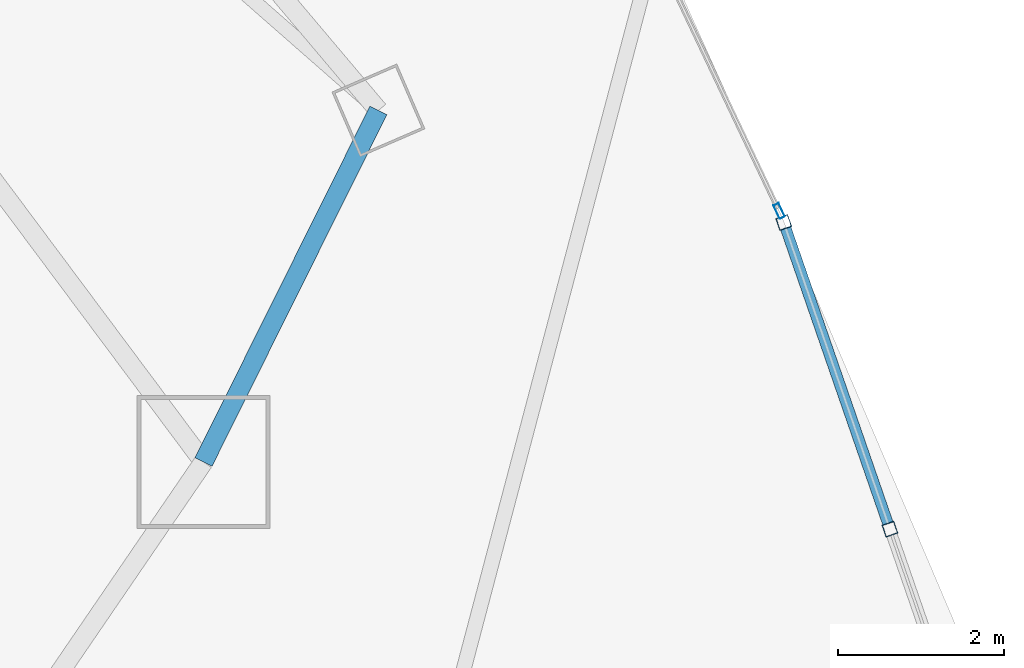
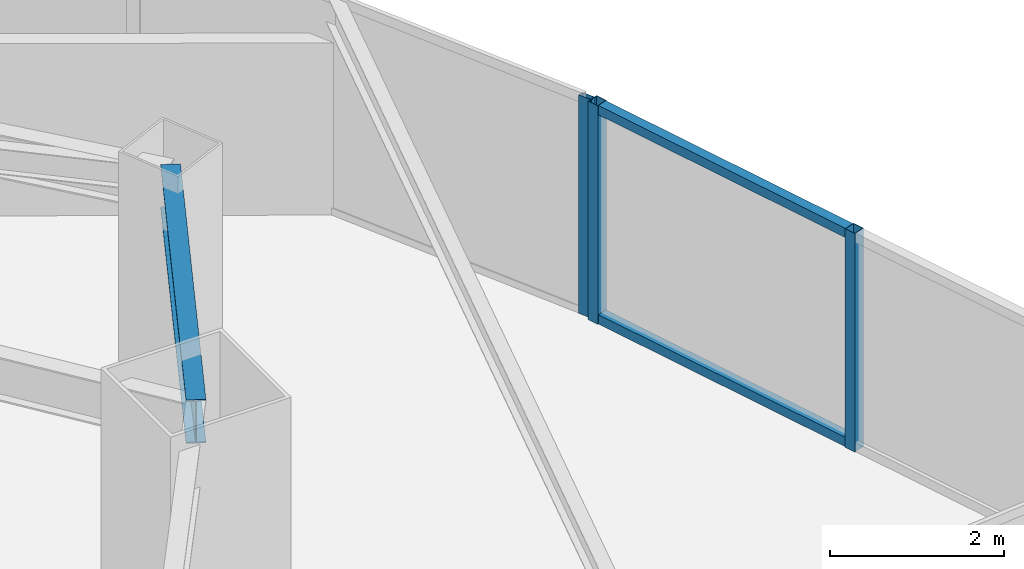
# One storey, part 18 of 37: 5 members, 1 beam, 2 elements without a shape of their own.
"""IFC4 building model written with IfcOpenShell, lengths in metres."""

from ifc_helpers import new_model, si_unit, direction, frame, origin, origin_2d, place, context, subcontext, project, spatial, hollow_rectangle, i_section, extrude, material, layer, layer_set, material_profile, profile_set, type_object, element, aggregate, save


model = new_model("IFC4")

# Units and contexts
model_context = context("Model", 3, precision=1e-05, world=origin(), true_north=direction((0.0, 1.0)))
body_context = subcontext(model_context, "Body", "Model", "MODEL_VIEW")
ifc_project = project(units=[si_unit("LENGTHUNIT", "METRE"), si_unit("AREAUNIT", "SQUARE_METRE"), si_unit("VOLUMEUNIT", "CUBIC_METRE"), si_unit("PLANEANGLEUNIT", "RADIAN"), si_unit("MASSUNIT", "GRAM", prefix="KILO")], contexts=[model_context])

# Site, building, storey
site_placement = place(None, origin())
site = spatial("IfcSite", under=ifc_project, at=site_placement, CompositionType="ELEMENT")
building_placement = place(site_placement, origin())
building = spatial("IfcBuilding", under=site, at=building_placement, Name="Orvanel Arch Residences", CompositionType="ELEMENT")
storey_placement = place(building_placement, frame((0.0, 0.0, 53.300048828125)))
storey = spatial("IfcBuildingStorey", under=building, at=storey_placement, Name="L14", CompositionType="ELEMENT", Elevation=53.300048828125)

# Curtain wall, members
ifc_material_1 = material(Name="Bronze-anodised aluminium AA6063-T6", Category="aluminium")
ifc_layer_1 = layer(ifc_material_1, 0.18994140625)
ifc_layer_set_1 = layer_set([ifc_layer_1], Name="Bronze-anodised aluminium AA6063-T6")
curtain_wall_type_1 = type_object("IfcCurtainWallType", Name="CW5-CRN-SYS", PredefinedType="NOTDEFINED", material=ifc_layer_set_1)
curtain_wall_1_placement = place(storey_placement, origin())
curtain_wall_1 = element("IfcCurtainWall", 1, at=curtain_wall_1_placement, inside=storey, type_object=curtain_wall_type_1, Name="L14 CW5-CRN-SYS Unitised Curtain Wall", PredefinedType="NOTDEFINED")
ifc_material_profile_1 = material_profile(ifc_material_1, hollow_rectangle(XDim=0.14990234375, YDim=0.14990234375, WallThickness=0.0048828125, at=origin_2d()), Name="ALU150x150x5")
ifc_profile_set_1 = profile_set([ifc_material_profile_1], Name="Bronze-anodised aluminium AA6063-T6")
member_type_1 = type_object("IfcMemberType", Name="MUL-150x150", PredefinedType="MULLION", material=ifc_profile_set_1)
member_1_placement = place(storey_placement, frame((60.0576171875, 9.54248046875, 0.0), z_axis=(0.0, 0.0, 1.0), x_axis=(-0.944975613597, -0.327140779645, 0.0)))
member_1 = element("IfcMember", 2, at=member_1_placement, type_object=member_type_1, Name="CW-S5 mullion 2", PredefinedType="MULLION", context=body_context, shape_type="SweptSolid", body=[
    extrude(hollow_rectangle(XDim=0.14990234375, YDim=0.14990234375, WallThickness=0.0048828125, at=origin_2d()), origin(), (0.0, 0.0, 1.0), 3.06005859375),
])
member_2_placement = place(storey_placement, frame((58.780517578125, 13.231201171875, 0.0), z_axis=(0.0, 0.0, 1.0), x_axis=(-0.944975613597, -0.327140779645, 0.0)))
member_2 = element("IfcMember", 3, at=member_2_placement, type_object=member_type_1, Name="CW-S5 mullion 3", PredefinedType="MULLION", context=body_context, shape_type="SweptSolid", body=[
    extrude(hollow_rectangle(XDim=0.14990234375, YDim=0.14990234375, WallThickness=0.0048828125, at=origin_2d()), origin(), (0.0, 0.0, 1.0), 3.06005859375),
])

# Curtain wall, member
ifc_layer_2 = layer(ifc_material_1, 0.179931640625)
ifc_layer_set_2 = layer_set([ifc_layer_2], Name="Bronze-anodised aluminium AA6063-T6")
curtain_wall_type_2 = type_object("IfcCurtainWallType", Name="CW2-LOW-SYS", PredefinedType="NOTDEFINED", material=ifc_layer_set_2)
curtain_wall_2_placement = place(storey_placement, origin())
curtain_wall_2 = element("IfcCurtainWall", 4, at=curtain_wall_2_placement, inside=storey, type_object=curtain_wall_type_2, Name="L14 CW2-LOW-SYS Unitised Curtain Wall", PredefinedType="NOTDEFINED")
ifc_material_profile_2 = material_profile(ifc_material_1, hollow_rectangle(XDim=0.070068359375, YDim=0.179931640625, WallThickness=0.00439453125, at=origin_2d()), Name="ALU180x70x4.5")
ifc_profile_set_2 = profile_set([ifc_material_profile_2], Name="Bronze-anodised aluminium AA6063-T6")
member_type_2 = type_object("IfcMemberType", Name="MUL-180x70", PredefinedType="MULLION", material=ifc_profile_set_2)
member_3_placement = place(storey_placement, frame((58.72509765625, 13.37060546875, 0.0), z_axis=(0.0, 0.0, 1.0), x_axis=(-0.903672014466, -0.428225279813, 0.0)))
member_3 = element("IfcMember", 5, at=member_3_placement, type_object=member_type_2, Name="CW-S2 mullion 1", PredefinedType="MULLION", context=body_context, shape_type="SweptSolid", body=[
    extrude(hollow_rectangle(XDim=0.070068359375, YDim=0.179931640625, WallThickness=0.00439453125, at=origin_2d()), origin(), (0.0, 0.0, 1.0), 3.06005859375),
])
aggregate(curtain_wall_2, [member_3])

# Beam
ifc_material_2 = material(Name="Structural steel AS/NZS 3679.1 Grade 300 (300 MPa)", Category="steel")
ifc_material_profile_3 = material_profile(ifc_material_2, i_section(OverallWidth=0.22900390625, OverallDepth=0.612060546875, WebThickness=0.011962890625, FlangeThickness=0.01953125, at=origin_2d()), Name="610UB125")
ifc_profile_set_3 = profile_set([ifc_material_profile_3], Name="Structural steel AS/NZS 3679.1 Grade 300 (300 MPa)")
beam_type = type_object("IfcBeamType", Name="SP-610UB", PredefinedType="SPANDREL", material=ifc_profile_set_3)
beam_placement = place(storey_placement, frame((51.801025390625, 10.35107421875, 2.75390625), z_axis=(0.44543469453, 0.895314432425, 0.0), x_axis=(-0.895314432425, 0.44543469453, 0.0)))
element("IfcBeam", 6, at=beam_placement, inside=storey, type_object=beam_type, Name="L14 Perimeter Spandrel Beam 11", PredefinedType="SPANDREL", context=body_context, shape_type="SweptSolid", body=[
    extrude(i_section(OverallWidth=0.22900390625, OverallDepth=0.612060546875, WebThickness=0.011962890625, FlangeThickness=0.01953125, at=origin_2d()), origin(), (0.0, 0.0, 1.0), 4.723388671875),
])

# Member
ifc_material_profile_4 = material_profile(ifc_material_1, hollow_rectangle(XDim=0.1298828125, YDim=0.1298828125, WallThickness=0.00439453125, at=origin_2d()), Name="ALU130x130x4.5")
ifc_profile_set_4 = profile_set([ifc_material_profile_4], Name="Bronze-anodised aluminium AA6063-T6")
member_type_3 = type_object("IfcMemberType", Name="TRN-130x130", PredefinedType="USERDEFINED", material=ifc_profile_set_4)
member_4_placement = place(storey_placement, frame((60.032958984375, 9.61328125, 0.06494140625), z_axis=(-0.327115032015, 0.944984526767, 0.0), x_axis=(-0.944984526767, -0.327115032015, 0.0)))
member_4 = element("IfcMember", 7, at=member_4_placement, type_object=member_type_3, Name="CW-S5 transom 2.1", ObjectType="TRANSOM", PredefinedType="USERDEFINED", context=body_context, shape_type="SweptSolid", body=[
    extrude(hollow_rectangle(XDim=0.1298828125, YDim=0.1298828125, WallThickness=0.00439453125, at=origin_2d()), origin(), (0.0, 0.0, 1.0), 3.75341796875),
])

member_5_placement = place(storey_placement, frame((60.032958984375, 9.61328125, 2.994873046875), z_axis=(-0.327115032015, 0.944984526767, 0.0), x_axis=(-0.944984526767, -0.327115032015, 0.0)))
member_5 = element("IfcMember", 8, at=member_5_placement, type_object=member_type_3, Name="CW-S5 transom 2.2", ObjectType="TRANSOM", PredefinedType="USERDEFINED", context=body_context, shape_type="SweptSolid", body=[
    extrude(hollow_rectangle(XDim=0.1298828125, YDim=0.1298828125, WallThickness=0.00439453125, at=origin_2d()), origin(), (0.0, 0.0, 1.0), 3.75341796875),
])

aggregate(curtain_wall_1, [member_1, member_2, member_4, member_5])

save(model, "model.ifc")
